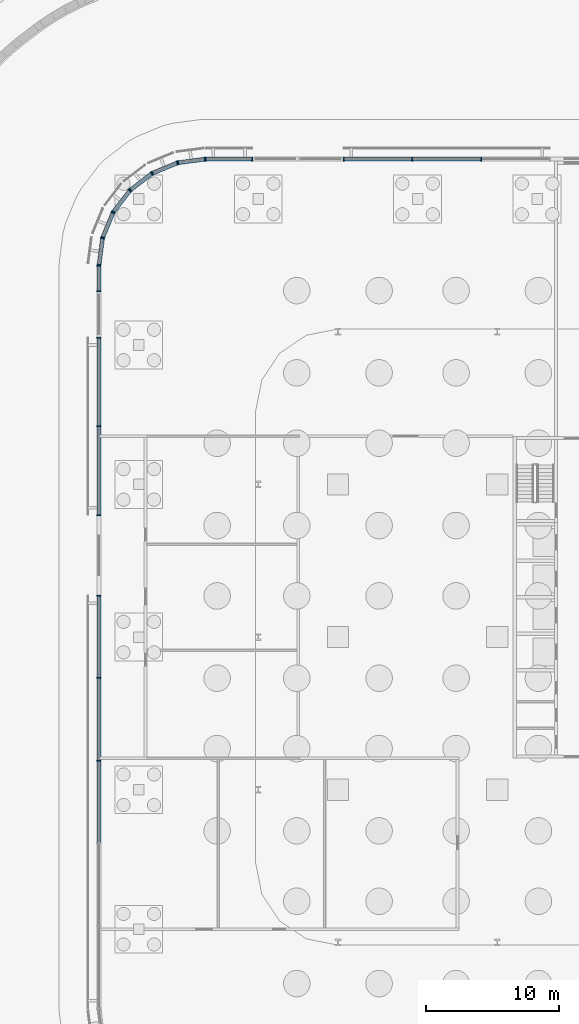
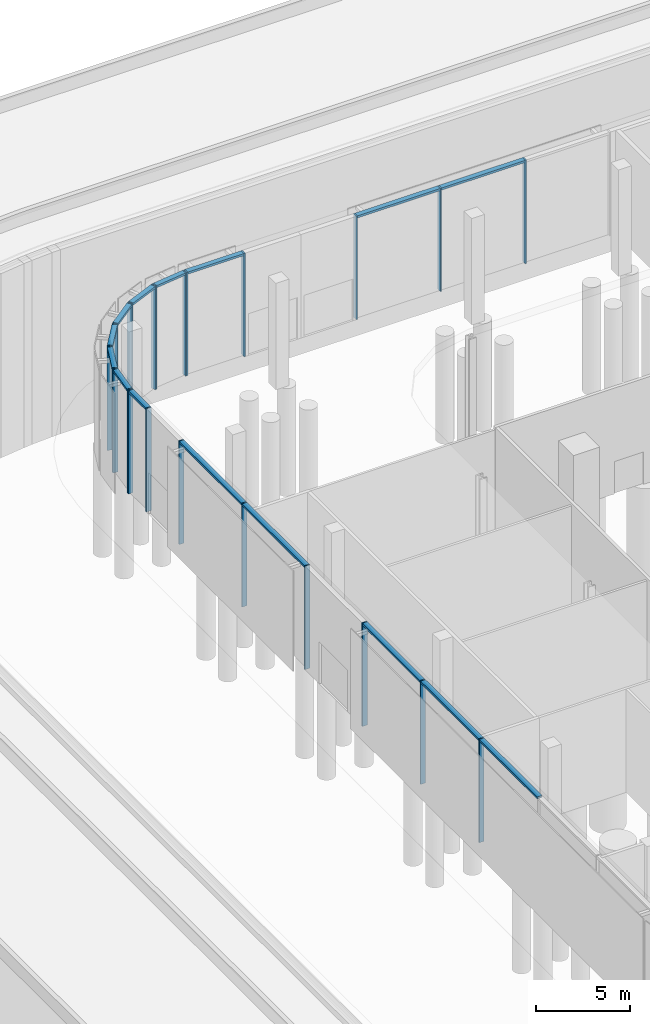
# One storey, part 9 of 48: 40 members, 11 elements without a shape of their own.
"""IFC4 building model written with IfcOpenShell, lengths in metres."""

from ifc_helpers import new_model, si_unit, direction, frame, origin, origin_2d, place, context, subcontext, project, spatial, rectangle, extrude, material, material_profile, profile_set, type_object, element, aggregate, save


model = new_model("IFC4")

# Units and contexts
model_context = context("Model", 3, precision=1e-05, world=origin(), true_north=direction((0.0, 1.0)))
body_context = subcontext(model_context, "Body", "Model", "MODEL_VIEW")
ifc_project = project(units=[si_unit("LENGTHUNIT", "METRE"), si_unit("AREAUNIT", "SQUARE_METRE"), si_unit("VOLUMEUNIT", "CUBIC_METRE"), si_unit("PLANEANGLEUNIT", "RADIAN"), si_unit("MASSUNIT", "GRAM", prefix="KILO")], contexts=[model_context])

# Site, building, storey
site_placement = place(None, origin())
site = spatial("IfcSite", under=ifc_project, at=site_placement, CompositionType="ELEMENT")
building_placement = place(site_placement, origin())
building = spatial("IfcBuilding", under=site, at=building_placement, Name="Mahtab Terrace Research Tower", CompositionType="ELEMENT")
storey_placement = place(building_placement, origin())
storey = spatial("IfcBuildingStorey", under=building, at=storey_placement, Name="G", CompositionType="ELEMENT", Elevation=0.0)

# Curtain wall, members
ifc_material_1 = material(Name="Ground lobby curtain wall")
curtain_wall_type = type_object("IfcCurtainWallType", Name="Ground lobby curtain wall", PredefinedType="NOTDEFINED", material=ifc_material_1)
curtain_wall_1_placement = place(storey_placement, origin())
curtain_wall_1 = element("IfcCurtainWall", 1, at=curtain_wall_1_placement, inside=storey, type_object=curtain_wall_type, Name="EN.G.5.13", PredefinedType="NOTDEFINED")
ifc_material_2 = material(Name="Natural anodised aluminium", Category="aluminium")
ifc_material_profile_1 = material_profile(ifc_material_2, rectangle(XDim=0.300048828125, YDim=0.080078125, at=origin_2d()), Name="MULLION 80x300")
ifc_profile_set_1 = profile_set([ifc_material_profile_1], Name="Natural anodised aluminium")
member_type_1 = type_object("IfcMemberType", Name="Ground lobby curtain wall mullion", PredefinedType="MULLION", material=ifc_profile_set_1)
member_1_placement = place(storey_placement, frame((-31.199951171875, 36.0, 0.0), z_axis=(0.0, 0.0, 1.0), x_axis=(0.0, -1.0, 0.0)))
member_1 = element("IfcMember", 2, at=member_1_placement, type_object=member_type_1, Name="CWG-1 mullion 2", PredefinedType="MULLION", context=body_context, shape_type="SweptSolid", body=[
    extrude(rectangle(XDim=0.300048828125, YDim=0.080078125, at=origin_2d()), origin(), (0.0, 0.0, 1.0), 6.699951171875),
])
member_2_placement = place(storey_placement, frame((-36.39990234375, 36.0, 0.0), z_axis=(0.0, 0.0, 1.0), x_axis=(0.0, -1.0, 0.0)))
member_2 = element("IfcMember", 3, at=member_2_placement, type_object=member_type_1, Name="CWG-1 mullion 3", PredefinedType="MULLION", context=body_context, shape_type="SweptSolid", body=[
    extrude(rectangle(XDim=0.300048828125, YDim=0.080078125, at=origin_2d()), origin(), (0.0, 0.0, 1.0), 6.699951171875),
])
member_3_placement = place(storey_placement, frame((-41.56005859375, 36.0, 0.0), z_axis=(0.0, 0.0, 1.0), x_axis=(0.0, -1.0, 0.0)))
member_3 = element("IfcMember", 4, at=member_3_placement, type_object=member_type_1, Name="CWG-1 mullion 4", PredefinedType="MULLION", context=body_context, shape_type="SweptSolid", body=[
    extrude(rectangle(XDim=0.300048828125, YDim=0.080078125, at=origin_2d()), origin(), (0.0, 0.0, 1.0), 6.699951171875),
])

curtain_wall_2_placement = place(storey_placement, origin())
curtain_wall_2 = element("IfcCurtainWall", 5, at=curtain_wall_2_placement, inside=storey, type_object=curtain_wall_type, Name="EN.G.5.16", PredefinedType="NOTDEFINED")
member_4_placement = place(storey_placement, frame((-48.43994140625, 36.0, 0.0), z_axis=(0.0, 0.0, 1.0), x_axis=(0.0, -1.0, 0.0)))
member_4 = element("IfcMember", 6, at=member_4_placement, type_object=member_type_1, Name="CWG-1 mullion 1", PredefinedType="MULLION", context=body_context, shape_type="SweptSolid", body=[
    extrude(rectangle(XDim=0.300048828125, YDim=0.080078125, at=origin_2d()), origin(), (0.0, 0.0, 1.0), 6.699951171875),
])
member_5_placement = place(storey_placement, frame((-51.9599609375, 36.0, 0.0), z_axis=(0.0, 0.0, 1.0), x_axis=(0.0, -1.0, 0.0)))
member_5 = element("IfcMember", 7, at=member_5_placement, type_object=member_type_1, Name="CWG-1 mullion 2", PredefinedType="MULLION", context=body_context, shape_type="SweptSolid", body=[
    extrude(rectangle(XDim=0.300048828125, YDim=0.080078125, at=origin_2d()), origin(), (0.0, 0.0, 1.0), 6.699951171875),
])

curtain_wall_3_placement = place(storey_placement, origin())
curtain_wall_3 = element("IfcCurtainWall", 8, at=curtain_wall_3_placement, inside=storey, type_object=curtain_wall_type, Name="EN.G.6.0", PredefinedType="NOTDEFINED")
member_6_placement = place(storey_placement, frame((-52.03955078125, 35.994873046875, 0.0), z_axis=(0.0, 0.0, 1.0), x_axis=(0.130689793992, -0.991423309059, 0.0)))
member_6 = element("IfcMember", 9, at=member_6_placement, type_object=member_type_1, Name="CWG-1 mullion 1", PredefinedType="MULLION", context=body_context, shape_type="SweptSolid", body=[
    extrude(rectangle(XDim=0.300048828125, YDim=0.080078125, at=origin_2d()), origin(), (0.0, 0.0, 1.0), 6.699951171875),
])
member_7_placement = place(storey_placement, frame((-54.03125, 35.732177734375, 0.0), z_axis=(0.0, 0.0, 1.0), x_axis=(0.130689793992, -0.991423309059, 0.0)))
member_7 = element("IfcMember", 10, at=member_7_placement, type_object=member_type_1, Name="CWG-1 mullion 2", PredefinedType="MULLION", context=body_context, shape_type="SweptSolid", body=[
    extrude(rectangle(XDim=0.300048828125, YDim=0.080078125, at=origin_2d()), origin(), (0.0, 0.0, 1.0), 6.699951171875),
])

curtain_wall_4_placement = place(storey_placement, origin())
curtain_wall_4 = element("IfcCurtainWall", 11, at=curtain_wall_4_placement, inside=storey, type_object=curtain_wall_type, Name="EN.G.7.0", PredefinedType="NOTDEFINED")
member_8_placement = place(storey_placement, frame((-54.10791015625, 35.711669921875, 0.0), z_axis=(0.0, 0.0, 1.0), x_axis=(0.382676089485, -0.923882573998, 0.0)))
member_8 = element("IfcMember", 12, at=member_8_placement, type_object=member_type_1, Name="CWG-1 mullion 1", PredefinedType="MULLION", context=body_context, shape_type="SweptSolid", body=[
    extrude(rectangle(XDim=0.300048828125, YDim=0.080078125, at=origin_2d()), origin(), (0.0, 0.0, 1.0), 6.699951171875),
])
member_9_placement = place(storey_placement, frame((-55.963134765625, 34.943359375, 0.0), z_axis=(0.0, 0.0, 1.0), x_axis=(0.382676089485, -0.923882573998, 0.0)))
member_9 = element("IfcMember", 13, at=member_9_placement, type_object=member_type_1, Name="CWG-1 mullion 2", PredefinedType="MULLION", context=body_context, shape_type="SweptSolid", body=[
    extrude(rectangle(XDim=0.300048828125, YDim=0.080078125, at=origin_2d()), origin(), (0.0, 0.0, 1.0), 6.699951171875),
])

curtain_wall_5_placement = place(storey_placement, origin())
curtain_wall_5 = element("IfcCurtainWall", 14, at=curtain_wall_5_placement, inside=storey, type_object=curtain_wall_type, Name="EN.G.8.0", PredefinedType="NOTDEFINED")
member_10_placement = place(storey_placement, frame((-56.03173828125, 34.903564453125, 0.0), z_axis=(0.0, 0.0, 1.0), x_axis=(0.60862253119, -0.793459901021, 0.0)))
member_10 = element("IfcMember", 15, at=member_10_placement, type_object=member_type_1, Name="CWG-1 mullion 1", PredefinedType="MULLION", context=body_context, shape_type="SweptSolid", body=[
    extrude(rectangle(XDim=0.300048828125, YDim=0.080078125, at=origin_2d()), origin(), (0.0, 0.0, 1.0), 6.699951171875),
])
member_11_placement = place(storey_placement, frame((-57.625244140625, 33.681396484375, 0.0), z_axis=(0.0, 0.0, 1.0), x_axis=(0.60862253119, -0.793459901021, 0.0)))
member_11 = element("IfcMember", 16, at=member_11_placement, type_object=member_type_1, Name="CWG-1 mullion 2", PredefinedType="MULLION", context=body_context, shape_type="SweptSolid", body=[
    extrude(rectangle(XDim=0.300048828125, YDim=0.080078125, at=origin_2d()), origin(), (0.0, 0.0, 1.0), 6.699951171875),
])

curtain_wall_6_placement = place(storey_placement, origin())
curtain_wall_6 = element("IfcCurtainWall", 17, at=curtain_wall_6_placement, inside=storey, type_object=curtain_wall_type, Name="EN.G.9.0", PredefinedType="NOTDEFINED")
member_12_placement = place(storey_placement, frame((-57.681396484375, 33.625244140625, 0.0), z_axis=(0.0, 0.0, 1.0), x_axis=(0.793459901021, -0.60862253119, 0.0)))
member_12 = element("IfcMember", 18, at=member_12_placement, type_object=member_type_1, Name="CWG-1 mullion 1", PredefinedType="MULLION", context=body_context, shape_type="SweptSolid", body=[
    extrude(rectangle(XDim=0.300048828125, YDim=0.080078125, at=origin_2d()), origin(), (0.0, 0.0, 1.0), 6.699951171875),
])
member_13_placement = place(storey_placement, frame((-58.903564453125, 32.03173828125, 0.0), z_axis=(0.0, 0.0, 1.0), x_axis=(0.793459901021, -0.60862253119, 0.0)))
member_13 = element("IfcMember", 19, at=member_13_placement, type_object=member_type_1, Name="CWG-1 mullion 2", PredefinedType="MULLION", context=body_context, shape_type="SweptSolid", body=[
    extrude(rectangle(XDim=0.300048828125, YDim=0.080078125, at=origin_2d()), origin(), (0.0, 0.0, 1.0), 6.699951171875),
])

curtain_wall_7_placement = place(storey_placement, origin())
curtain_wall_7 = element("IfcCurtainWall", 20, at=curtain_wall_7_placement, inside=storey, type_object=curtain_wall_type, Name="EN.G.10.0", PredefinedType="NOTDEFINED")
member_14_placement = place(storey_placement, frame((-58.943359375, 31.963134765625, 0.0), z_axis=(0.0, 0.0, 1.0), x_axis=(0.923882573998, -0.382676089485, 0.0)))
member_14 = element("IfcMember", 21, at=member_14_placement, type_object=member_type_1, Name="CWG-1 mullion 1", PredefinedType="MULLION", context=body_context, shape_type="SweptSolid", body=[
    extrude(rectangle(XDim=0.300048828125, YDim=0.080078125, at=origin_2d()), origin(), (0.0, 0.0, 1.0), 6.699951171875),
])
member_15_placement = place(storey_placement, frame((-59.711669921875, 30.10791015625, 0.0), z_axis=(0.0, 0.0, 1.0), x_axis=(0.923882573998, -0.382676089485, 0.0)))
member_15 = element("IfcMember", 22, at=member_15_placement, type_object=member_type_1, Name="CWG-1 mullion 2", PredefinedType="MULLION", context=body_context, shape_type="SweptSolid", body=[
    extrude(rectangle(XDim=0.300048828125, YDim=0.080078125, at=origin_2d()), origin(), (0.0, 0.0, 1.0), 6.699951171875),
])

curtain_wall_8_placement = place(storey_placement, origin())
curtain_wall_8 = element("IfcCurtainWall", 23, at=curtain_wall_8_placement, inside=storey, type_object=curtain_wall_type, Name="EN.G.11.0", PredefinedType="NOTDEFINED")
member_16_placement = place(storey_placement, frame((-59.732177734375, 30.03125, 0.0), z_axis=(0.0, 0.0, 1.0), x_axis=(0.991423309059, -0.130689793992, 0.0)))
member_16 = element("IfcMember", 24, at=member_16_placement, type_object=member_type_1, Name="CWG-1 mullion 1", PredefinedType="MULLION", context=body_context, shape_type="SweptSolid", body=[
    extrude(rectangle(XDim=0.300048828125, YDim=0.080078125, at=origin_2d()), origin(), (0.0, 0.0, 1.0), 6.699951171875),
])
member_17_placement = place(storey_placement, frame((-59.994873046875, 28.03955078125, 0.0), z_axis=(0.0, 0.0, 1.0), x_axis=(0.991423309059, -0.130689793992, 0.0)))
member_17 = element("IfcMember", 25, at=member_17_placement, type_object=member_type_1, Name="CWG-1 mullion 2", PredefinedType="MULLION", context=body_context, shape_type="SweptSolid", body=[
    extrude(rectangle(XDim=0.300048828125, YDim=0.080078125, at=origin_2d()), origin(), (0.0, 0.0, 1.0), 6.699951171875),
])

curtain_wall_9_placement = place(storey_placement, origin())
curtain_wall_9 = element("IfcCurtainWall", 26, at=curtain_wall_9_placement, inside=storey, type_object=curtain_wall_type, Name="EN.G.12.0", PredefinedType="NOTDEFINED")
member_18_placement = place(storey_placement, frame((-60.0, 27.9599609375, 0.0), z_axis=(0.0, 0.0, 1.0), x_axis=(1.0, 0.0, 0.0)))
member_18 = element("IfcMember", 27, at=member_18_placement, type_object=member_type_1, Name="CWG-1 mullion 1", PredefinedType="MULLION", context=body_context, shape_type="SweptSolid", body=[
    extrude(rectangle(XDim=0.300048828125, YDim=0.080078125, at=origin_2d()), origin(), (0.0, 0.0, 1.0), 6.699951171875),
])
member_19_placement = place(storey_placement, frame((-60.0, 26.0400390625, 0.0), z_axis=(0.0, 0.0, 1.0), x_axis=(1.0, 0.0, 0.0)))
member_19 = element("IfcMember", 28, at=member_19_placement, type_object=member_type_1, Name="CWG-1 mullion 2", PredefinedType="MULLION", context=body_context, shape_type="SweptSolid", body=[
    extrude(rectangle(XDim=0.300048828125, YDim=0.080078125, at=origin_2d()), origin(), (0.0, 0.0, 1.0), 6.699951171875),
])

curtain_wall_10_placement = place(storey_placement, origin())
curtain_wall_10 = element("IfcCurtainWall", 29, at=curtain_wall_10_placement, inside=storey, type_object=curtain_wall_type, Name="EN.G.12.2", PredefinedType="NOTDEFINED")
member_20_placement = place(storey_placement, frame((-60.0, 22.56005859375, 0.0), z_axis=(0.0, 0.0, 1.0), x_axis=(1.0, 0.0, 0.0)))
member_20 = element("IfcMember", 30, at=member_20_placement, type_object=member_type_1, Name="CWG-1 mullion 1", PredefinedType="MULLION", context=body_context, shape_type="SweptSolid", body=[
    extrude(rectangle(XDim=0.300048828125, YDim=0.080078125, at=origin_2d()), origin(), (0.0, 0.0, 1.0), 6.699951171875),
])
member_21_placement = place(storey_placement, frame((-60.0, 15.875, 0.0), z_axis=(0.0, 0.0, 1.0), x_axis=(1.0, 0.0, 0.0)))
member_21 = element("IfcMember", 31, at=member_21_placement, type_object=member_type_1, Name="CWG-1 mullion 2", PredefinedType="MULLION", context=body_context, shape_type="SweptSolid", body=[
    extrude(rectangle(XDim=0.300048828125, YDim=0.080078125, at=origin_2d()), origin(), (0.0, 0.0, 1.0), 6.699951171875),
])
member_22_placement = place(storey_placement, frame((-60.0, 9.18994140625, 0.0), z_axis=(0.0, 0.0, 1.0), x_axis=(1.0, 0.0, 0.0)))
member_22 = element("IfcMember", 32, at=member_22_placement, type_object=member_type_1, Name="CWG-1 mullion 3", PredefinedType="MULLION", context=body_context, shape_type="SweptSolid", body=[
    extrude(rectangle(XDim=0.300048828125, YDim=0.080078125, at=origin_2d()), origin(), (0.0, 0.0, 1.0), 6.699951171875),
])

curtain_wall_11_placement = place(storey_placement, origin())
curtain_wall_11 = element("IfcCurtainWall", 33, at=curtain_wall_11_placement, inside=storey, type_object=curtain_wall_type, Name="EN.G.12.4", PredefinedType="NOTDEFINED")
member_23_placement = place(storey_placement, frame((-60.0, 3.110107421875, 0.0), z_axis=(0.0, 0.0, 1.0), x_axis=(1.0, 0.0, 0.0)))
member_23 = element("IfcMember", 34, at=member_23_placement, type_object=member_type_1, Name="CWG-1 mullion 1", PredefinedType="MULLION", context=body_context, shape_type="SweptSolid", body=[
    extrude(rectangle(XDim=0.300048828125, YDim=0.080078125, at=origin_2d()), origin(), (0.0, 0.0, 1.0), 6.699951171875),
])
member_24_placement = place(storey_placement, frame((-60.0, -3.080078125, 0.0), z_axis=(0.0, 0.0, 1.0), x_axis=(1.0, 0.0, 0.0)))
member_24 = element("IfcMember", 35, at=member_24_placement, type_object=member_type_1, Name="CWG-1 mullion 2", PredefinedType="MULLION", context=body_context, shape_type="SweptSolid", body=[
    extrude(rectangle(XDim=0.300048828125, YDim=0.080078125, at=origin_2d()), origin(), (0.0, 0.0, 1.0), 6.699951171875),
])
member_25_placement = place(storey_placement, frame((-60.0, -9.31005859375, 0.0), z_axis=(0.0, 0.0, 1.0), x_axis=(1.0, 0.0, 0.0)))
member_25 = element("IfcMember", 36, at=member_25_placement, type_object=member_type_1, Name="CWG-1 mullion 3", PredefinedType="MULLION", context=body_context, shape_type="SweptSolid", body=[
    extrude(rectangle(XDim=0.300048828125, YDim=0.080078125, at=origin_2d()), origin(), (0.0, 0.0, 1.0), 6.699951171875),
])

# Member
ifc_material_profile_2 = material_profile(ifc_material_2, rectangle(XDim=0.300048828125, YDim=0.139892578125, at=origin_2d()), Name="TRANSOM 140x300")
ifc_profile_set_2 = profile_set([ifc_material_profile_2], Name="Natural anodised aluminium")
member_type_2 = type_object("IfcMemberType", Name="Ground lobby curtain wall transom", PredefinedType="USERDEFINED", material=ifc_profile_set_2)
member_26_placement = place(storey_placement, frame((-31.239990234375, 36.0, 6.6298828125), z_axis=(-1.0, 0.0, 0.0), x_axis=(0.0, -1.0, 0.0)))
member_26 = element("IfcMember", 37, at=member_26_placement, type_object=member_type_2, Name="CWG-1 transom 2", ObjectType="TRANSOM", PredefinedType="USERDEFINED", context=body_context, shape_type="SweptSolid", body=[
    extrude(rectangle(XDim=0.300048828125, YDim=0.139892578125, at=origin_2d()), origin(), (0.0, 0.0, 1.0), 5.1201171875),
])

member_27_placement = place(storey_placement, frame((-36.43994140625, 36.0, 6.6298828125), z_axis=(-1.0, 0.0, 0.0), x_axis=(0.0, -1.0, 0.0)))
member_27 = element("IfcMember", 38, at=member_27_placement, type_object=member_type_2, Name="CWG-1 transom 3", ObjectType="TRANSOM", PredefinedType="USERDEFINED", context=body_context, shape_type="SweptSolid", body=[
    extrude(rectangle(XDim=0.300048828125, YDim=0.139892578125, at=origin_2d()), origin(), (0.0, 0.0, 1.0), 5.080078125),
])

aggregate(curtain_wall_1, [member_1, member_2, member_3, member_26, member_27])

member_28_placement = place(storey_placement, frame((-48.47998046875, 36.0, 6.6298828125), z_axis=(-1.0, 0.0, 0.0), x_axis=(0.0, -1.0, 0.0)))
member_28 = element("IfcMember", 39, at=member_28_placement, type_object=member_type_2, Name="CWG-1 transom 1", ObjectType="TRANSOM", PredefinedType="USERDEFINED", context=body_context, shape_type="SweptSolid", body=[
    extrude(rectangle(XDim=0.300048828125, YDim=0.139892578125, at=origin_2d()), origin(), (0.0, 0.0, 1.0), 3.43994140625),
])

aggregate(curtain_wall_2, [member_4, member_5, member_28])

member_29_placement = place(storey_placement, frame((-52.079345703125, 35.989501953125, 6.6298828125), z_axis=(-0.991432310304, -0.130621491668, 0.0), x_axis=(0.130621491668, -0.991432310304, 0.0)))
member_29 = element("IfcMember", 40, at=member_29_placement, type_object=member_type_2, Name="CWG-1 transom 1", ObjectType="TRANSOM", PredefinedType="USERDEFINED", context=body_context, shape_type="SweptSolid", body=[
    extrude(rectangle(XDim=0.300048828125, YDim=0.139892578125, at=origin_2d()), origin(), (0.0, 0.0, 1.0), 1.928955078125),
])

aggregate(curtain_wall_3, [member_6, member_7, member_29])

member_30_placement = place(storey_placement, frame((-54.14501953125, 35.6962890625, 6.6298828125), z_axis=(-0.923865559204, -0.38271716517, 0.0), x_axis=(0.38271716517, -0.923865559204, 0.0)))
member_30 = element("IfcMember", 41, at=member_30_placement, type_object=member_type_2, Name="CWG-1 transom 1", ObjectType="TRANSOM", PredefinedType="USERDEFINED", context=body_context, shape_type="SweptSolid", body=[
    extrude(rectangle(XDim=0.300048828125, YDim=0.139892578125, at=origin_2d()), origin(), (0.0, 0.0, 1.0), 1.927734375),
])

aggregate(curtain_wall_4, [member_8, member_9, member_30])

member_31_placement = place(storey_placement, frame((-56.0634765625, 34.87939453125, 6.6298828125), z_axis=(-0.793465731081, -0.608614930478, 0.0), x_axis=(0.608614930478, -0.793465731081, 0.0)))
member_31 = element("IfcMember", 42, at=member_31_placement, type_object=member_type_2, Name="CWG-1 transom 1", ObjectType="TRANSOM", PredefinedType="USERDEFINED", context=body_context, shape_type="SweptSolid", body=[
    extrude(rectangle(XDim=0.300048828125, YDim=0.139892578125, at=origin_2d()), origin(), (0.0, 0.0, 1.0), 1.92822265625),
])

aggregate(curtain_wall_5, [member_10, member_11, member_31])

member_32_placement = place(storey_placement, frame((-57.705810546875, 33.593505859375, 6.6298828125), z_axis=(-0.608614930478, -0.793465731081, 0.0), x_axis=(0.793465731081, -0.608614930478, 0.0)))
member_32 = element("IfcMember", 43, at=member_32_placement, type_object=member_type_2, Name="CWG-1 transom 1", ObjectType="TRANSOM", PredefinedType="USERDEFINED", context=body_context, shape_type="SweptSolid", body=[
    extrude(rectangle(XDim=0.300048828125, YDim=0.139892578125, at=origin_2d()), origin(), (0.0, 0.0, 1.0), 1.92822265625),
])

aggregate(curtain_wall_6, [member_12, member_13, member_32])

member_33_placement = place(storey_placement, frame((-58.95849609375, 31.926025390625, 6.6298828125), z_axis=(-0.38271716517, -0.923865559204, 0.0), x_axis=(0.923865559204, -0.38271716517, 0.0)))
member_33 = element("IfcMember", 44, at=member_33_placement, type_object=member_type_2, Name="CWG-1 transom 1", ObjectType="TRANSOM", PredefinedType="USERDEFINED", context=body_context, shape_type="SweptSolid", body=[
    extrude(rectangle(XDim=0.300048828125, YDim=0.139892578125, at=origin_2d()), origin(), (0.0, 0.0, 1.0), 1.927734375),
])

aggregate(curtain_wall_7, [member_14, member_15, member_33])

member_34_placement = place(storey_placement, frame((-59.737548828125, 29.99169921875, 6.6298828125), z_axis=(-0.130621491668, -0.991432310304, 0.0), x_axis=(0.991432310304, -0.130621491668, 0.0)))
member_34 = element("IfcMember", 45, at=member_34_placement, type_object=member_type_2, Name="CWG-1 transom 1", ObjectType="TRANSOM", PredefinedType="USERDEFINED", context=body_context, shape_type="SweptSolid", body=[
    extrude(rectangle(XDim=0.300048828125, YDim=0.139892578125, at=origin_2d()), origin(), (0.0, 0.0, 1.0), 1.928955078125),
])

aggregate(curtain_wall_8, [member_16, member_17, member_34])

member_35_placement = place(storey_placement, frame((-60.0, 27.919921875, 6.6298828125), z_axis=(0.0, -1.0, 0.0), x_axis=(1.0, 0.0, 0.0)))
member_35 = element("IfcMember", 46, at=member_35_placement, type_object=member_type_2, Name="CWG-1 transom 1", ObjectType="TRANSOM", PredefinedType="USERDEFINED", context=body_context, shape_type="SweptSolid", body=[
    extrude(rectangle(XDim=0.300048828125, YDim=0.139892578125, at=origin_2d()), origin(), (0.0, 0.0, 1.0), 1.83984375),
])

aggregate(curtain_wall_9, [member_18, member_19, member_35])

member_36_placement = place(storey_placement, frame((-60.0, 22.52001953125, 6.6298828125), z_axis=(0.0, -1.0, 0.0), x_axis=(1.0, 0.0, 0.0)))
member_36 = element("IfcMember", 47, at=member_36_placement, type_object=member_type_2, Name="CWG-1 transom 1", ObjectType="TRANSOM", PredefinedType="USERDEFINED", context=body_context, shape_type="SweptSolid", body=[
    extrude(rectangle(XDim=0.300048828125, YDim=0.139892578125, at=origin_2d()), origin(), (0.0, 0.0, 1.0), 6.60498046875),
])

member_37_placement = place(storey_placement, frame((-60.0, 15.8349609375, 6.6298828125), z_axis=(0.0, -1.0, 0.0), x_axis=(1.0, 0.0, 0.0)))
member_37 = element("IfcMember", 48, at=member_37_placement, type_object=member_type_2, Name="CWG-1 transom 2", ObjectType="TRANSOM", PredefinedType="USERDEFINED", context=body_context, shape_type="SweptSolid", body=[
    extrude(rectangle(XDim=0.300048828125, YDim=0.139892578125, at=origin_2d()), origin(), (0.0, 0.0, 1.0), 6.60498046875),
])

aggregate(curtain_wall_10, [member_20, member_21, member_22, member_36, member_37])

member_38_placement = place(storey_placement, frame((-60.0, 3.070068359375, 6.6298828125), z_axis=(0.0, -1.0, 0.0), x_axis=(1.0, 0.0, 0.0)))
member_38 = element("IfcMember", 49, at=member_38_placement, type_object=member_type_2, Name="CWG-1 transom 1", ObjectType="TRANSOM", PredefinedType="USERDEFINED", context=body_context, shape_type="SweptSolid", body=[
    extrude(rectangle(XDim=0.300048828125, YDim=0.139892578125, at=origin_2d()), origin(), (0.0, 0.0, 1.0), 6.110107421875),
])

member_39_placement = place(storey_placement, frame((-60.0, -3.1201171875, 6.6298828125), z_axis=(0.0, -1.0, 0.0), x_axis=(1.0, 0.0, 0.0)))
member_39 = element("IfcMember", 50, at=member_39_placement, type_object=member_type_2, Name="CWG-1 transom 2", ObjectType="TRANSOM", PredefinedType="USERDEFINED", context=body_context, shape_type="SweptSolid", body=[
    extrude(rectangle(XDim=0.300048828125, YDim=0.139892578125, at=origin_2d()), origin(), (0.0, 0.0, 1.0), 6.14990234375),
])

member_40_placement = place(storey_placement, frame((-60.0, -9.35009765625, 6.6298828125), z_axis=(0.0, -1.0, 0.0), x_axis=(1.0, 0.0, 0.0)))
member_40 = element("IfcMember", 51, at=member_40_placement, type_object=member_type_2, Name="CWG-1 transom 3", ObjectType="TRANSOM", PredefinedType="USERDEFINED", context=body_context, shape_type="SweptSolid", body=[
    extrude(rectangle(XDim=0.300048828125, YDim=0.139892578125, at=origin_2d()), origin(), (0.0, 0.0, 1.0), 6.14990234375),
])

aggregate(curtain_wall_11, [member_23, member_24, member_25, member_38, member_39, member_40])

save(model, "model.ifc")
